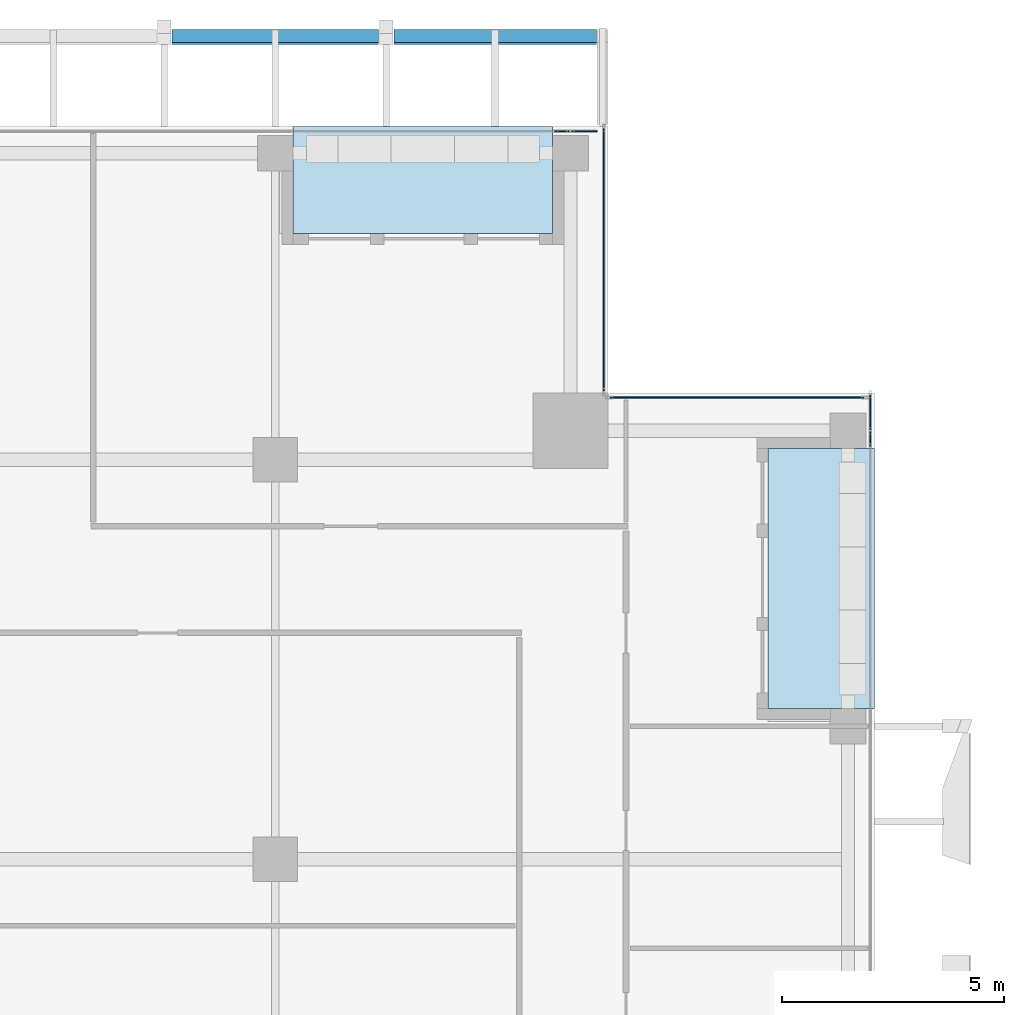
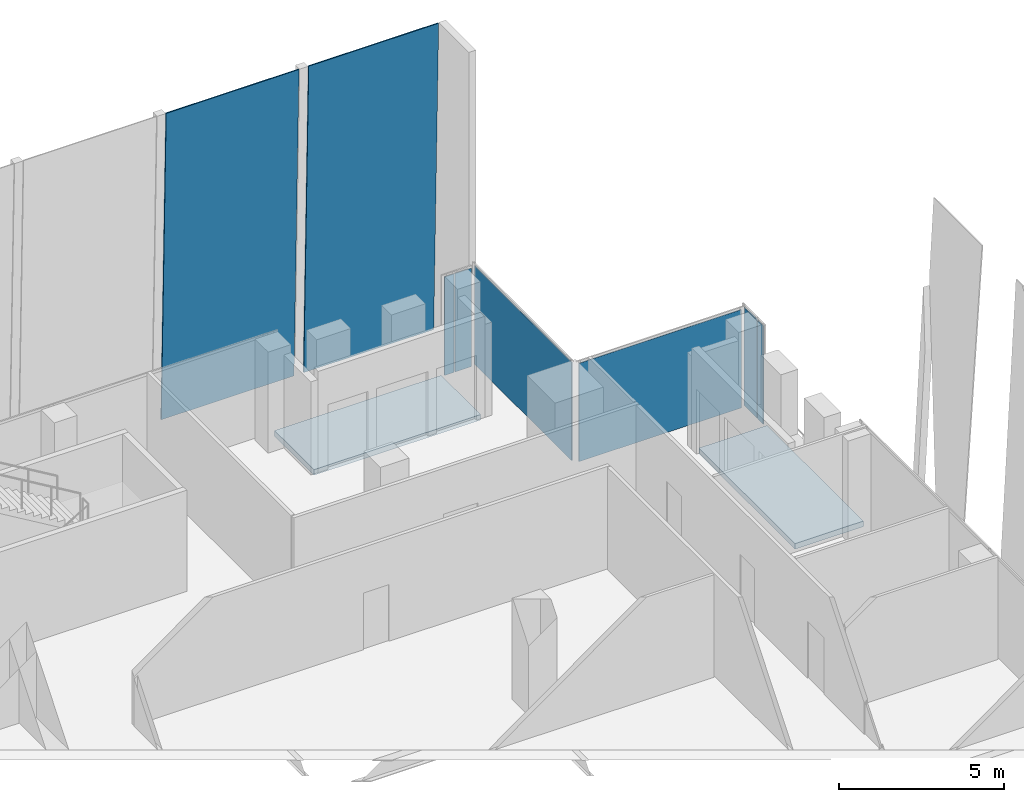
# One storey, part 25 of 33: 8 plates, 2 slabs, 4 elements without a shape of their own.
"""IFC4 building model written with IfcOpenShell, lengths in metres."""

from ifc_helpers import new_model, si_unit, direction, frame, origin, origin_2d, place, context, subcontext, project, spatial, polyline, rectangle, outline, extrude, source, transform, mapped, material, layer, layer_set, type_object, element, aggregate, save


model = new_model("IFC4")

# Units and contexts
model_context = context("Model", 3, precision=1e-05, world=origin(), true_north=direction((0.0, 1.0)))
body_context = subcontext(model_context, "Body", "Model", "MODEL_VIEW")
ifc_project = project(units=[si_unit("LENGTHUNIT", "METRE"), si_unit("AREAUNIT", "SQUARE_METRE"), si_unit("VOLUMEUNIT", "CUBIC_METRE"), si_unit("PLANEANGLEUNIT", "RADIAN"), si_unit("MASSUNIT", "GRAM", prefix="KILO")], contexts=[model_context])

# Site, building, storey
site_placement = place(None, origin())
site = spatial("IfcSite", under=ifc_project, at=site_placement, CompositionType="ELEMENT")
building_placement = place(site_placement, origin())
building = spatial("IfcBuilding", under=site, at=building_placement, Name="Khomas Fold Tower", CompositionType="ELEMENT")
storey_placement = place(building_placement, frame((0.0, 0.0, 294.199951171875)))
storey = spatial("IfcBuildingStorey", under=building, at=storey_placement, Name="L66", CompositionType="ELEMENT", Elevation=294.199951171875)

# Plates
ifc_material_1 = material(Name="Clear laminated glass", Category="glass")
ifc_layer_1 = layer(ifc_material_1, 0.0400390625)
ifc_layer_set_1 = layer_set([ifc_layer_1], Name="Clear laminated glass")
plate_type_1 = type_object("IfcPlateType", Name="SK-Clear laminated glass leaf", PredefinedType="SHEET", material=ifc_layer_set_1)
plate_1_placement = place(storey_placement, frame((32.169921875, 50.19384765625, 0.0009765625), z_axis=(0.0, 0.999657783631, 0.026159427089), x_axis=(1.0, 0.0, 0.0)))
element("IfcPlate", 1, at=plate_1_placement, inside=storey, type_object=plate_type_1, Name="OUTER SKIN glass L66 N9", PredefinedType="SHEET", context=body_context, shape_type="SweptSolid", body=[
    extrude(outline(polyline([(0.0, 0.0), (4.66015625, 0.0), (4.66015625, -11.554002797007573), (0.0, -11.554002797007573), (0.0, 0.0)])), origin(), (0.0, 0.0, -1.0), 0.0400390625),
])
plate_2_placement = place(storey_placement, frame((37.169921875, 50.19384765625, 0.0009765625), z_axis=(0.0, 0.999657783631, 0.026159427089), x_axis=(1.0, 0.0, 0.0)))
element("IfcPlate", 2, at=plate_2_placement, inside=storey, type_object=plate_type_1, Name="OUTER SKIN glass L66 N11", PredefinedType="SHEET", context=body_context, shape_type="SweptSolid", body=[
    extrude(outline(polyline([(0.0, 0.0), (4.56005859375, 0.0), (4.56005859375, -11.554002797007572), (0.0, -11.554002797007572), (0.0, 0.0)])), origin(), (0.0, 0.0, -1.0), 0.0400390625),
])

# Curtain wall, plate
ifc_material_2 = material(Name="Aluminium framed double glazing", Category="aluminium")
curtain_wall_type = type_object("IfcCurtainWallType", Name="SK-Unitised clear-glass wall, upper floors CW3", PredefinedType="NOTDEFINED", material=ifc_material_2)
curtain_wall_1_placement = place(storey_placement, origin())
curtain_wall_1 = element("IfcCurtainWall", 3, at=curtain_wall_1_placement, inside=storey, type_object=curtain_wall_type, Name="CW3 run L66 06-0", PredefinedType="NOTDEFINED")
ifc_material_3 = material(Name="Clear double glazed unit")
ifc_layer_2 = layer(ifc_material_3, 0.028076171875)
ifc_layer_set_2 = layer_set([ifc_layer_2], Name="Clear double glazed unit")
plate_type_2 = type_object("IfcPlateType", Name="SK-Unitised clear-glass wall, upper floors glass panel CW3-P", PredefinedType="CURTAIN_PANEL", material=ifc_layer_set_2)
shared_shape_1 = source(origin(), body_context, "Body", "SweptSolid", [
    extrude(rectangle(XDim=0.574951171875, YDim=0.028076171875, at=origin_2d()), origin(), (0.0, 0.0, 1.0), 3.64990234375),
])
plate_3_placement = place(storey_placement, frame((41.46240234375, 47.89990234375, 0.0), z_axis=(0.0, 0.0, 1.0), x_axis=(-1.0, 0.0, 0.0)))
plate_3 = element("IfcPlate", 4, at=plate_3_placement, type_object=plate_type_2, Name="CW3 glass panel 1", PredefinedType="CURTAIN_PANEL", context=body_context, shape_type="MappedRepresentation", body=[
    mapped(shared_shape_1, transform((0.0, 0.0, 0.0))),
])

curtain_wall_2_placement = place(storey_placement, origin())
curtain_wall_2 = element("IfcCurtainWall", 5, at=curtain_wall_2_placement, inside=storey, type_object=curtain_wall_type, Name="CW3 run L66 03-1", PredefinedType="NOTDEFINED")
shared_shape_2 = source(origin(), body_context, "Body", "SweptSolid", [
    extrude(rectangle(XDim=0.77490234375, YDim=0.028076171875, at=origin_2d()), origin(), (0.0, 0.0, 1.0), 3.64990234375),
])
plate_4_placement = place(storey_placement, frame((47.89990234375, 41.5625, 0.0), z_axis=(0.0, 0.0, 1.0), x_axis=(0.0, 1.0, 0.0)))
plate_4 = element("IfcPlate", 6, at=plate_4_placement, type_object=plate_type_2, Name="CW3 glass panel 2", PredefinedType="CURTAIN_PANEL", context=body_context, shape_type="MappedRepresentation", body=[
    mapped(shared_shape_2, transform((0.0, 0.0, 0.0))),
])

curtain_wall_3_placement = place(storey_placement, origin())
curtain_wall_3 = element("IfcCurtainWall", 7, at=curtain_wall_3_placement, inside=storey, type_object=curtain_wall_type, Name="CW3 corner return L66 04", PredefinedType="NOTDEFINED")
shared_shape_3 = source(origin(), body_context, "Body", "SweptSolid", [
    extrude(rectangle(XDim=5.699951171875, YDim=0.028076171875, at=origin_2d()), origin(), (0.0, 0.0, 1.0), 3.64990234375),
])
plate_5_placement = place(storey_placement, frame((44.89990234375, 41.89990234375, 0.0), z_axis=(0.0, 0.0, 1.0), x_axis=(-1.0, 0.0, 0.0)))
plate_5 = element("IfcPlate", 8, at=plate_5_placement, type_object=plate_type_2, Name="CW3 glass panel 1", PredefinedType="CURTAIN_PANEL", context=body_context, shape_type="MappedRepresentation", body=[
    mapped(shared_shape_3, transform((0.0, 0.0, 0.0))),
])
aggregate(curtain_wall_3, [plate_5])

curtain_wall_4_placement = place(storey_placement, origin())
curtain_wall_4 = element("IfcCurtainWall", 9, at=curtain_wall_4_placement, inside=storey, type_object=curtain_wall_type, Name="CW3 corner return L66 05", PredefinedType="NOTDEFINED")
shared_shape_4 = source(origin(), body_context, "Body", "SweptSolid", [
    extrude(rectangle(XDim=5.89990234375, YDim=0.028076171875, at=origin_2d()), origin(), (0.0, 0.0, 1.0), 3.64990234375),
])
plate_6_placement = place(storey_placement, frame((41.89990234375, 45.0, 0.0), z_axis=(0.0, 0.0, 1.0), x_axis=(0.0, 1.0, 0.0)))
plate_6 = element("IfcPlate", 10, at=plate_6_placement, type_object=plate_type_2, Name="CW3 glass panel 1", PredefinedType="CURTAIN_PANEL", context=body_context, shape_type="MappedRepresentation", body=[
    mapped(shared_shape_4, transform((0.0, 0.0, 0.0))),
])
aggregate(curtain_wall_4, [plate_6])

# Plate
shared_shape_5 = source(origin(), body_context, "Body", "SweptSolid", [
    extrude(rectangle(XDim=0.324951171875, YDim=0.028076171875, at=origin_2d()), origin(), (0.0, 0.0, 1.0), 3.64990234375),
])
plate_7_placement = place(storey_placement, frame((47.89990234375, 40.96240234375, 0.0), z_axis=(0.0, 0.0, 1.0), x_axis=(0.0, 1.0, 0.0)))
plate_7 = element("IfcPlate", 11, at=plate_7_placement, type_object=plate_type_2, Name="CW3 glass panel 1", PredefinedType="CURTAIN_PANEL", context=body_context, shape_type="MappedRepresentation", body=[
    mapped(shared_shape_5, transform((0.0, 0.0, 0.0))),
])

aggregate(curtain_wall_2, [plate_7, plate_4])

plate_8_placement = place(storey_placement, frame((40.96240234375, 47.89990234375, 0.0), z_axis=(0.0, 0.0, 1.0), x_axis=(-1.0, 0.0, 0.0)))
plate_8 = element("IfcPlate", 12, at=plate_8_placement, type_object=plate_type_2, Name="CW3 glass panel 2", PredefinedType="CURTAIN_PANEL", context=body_context, shape_type="MappedRepresentation", body=[
    mapped(shared_shape_5, transform((0.0, 0.0, 0.0))),
])

aggregate(curtain_wall_1, [plate_3, plate_8])

# Slabs
ifc_material_4 = material(Name="Concrete C40/50", Category="concrete")
ifc_layer_3 = layer(ifc_material_4, 0.205078125)
ifc_layer_set_3 = layer_set([ifc_layer_3], Name="Concrete C40/50")
slab_type = type_object("IfcSlabType", Name="BL-Balcony deck 205", PredefinedType="FLOOR", material=ifc_layer_set_3)
shared_shape_6 = source(origin(), body_context, "Body", "SweptSolid", [
    extrude(outline(polyline([(34.89990234375, 45.60009765625), (40.75, 45.60009765625), (40.75, 48.0), (34.89990234375, 48.0), (34.89990234375, 45.60009765625)])), origin(), (0.0, 0.0, 1.0), 0.205078125),
])
slab_1_placement = place(storey_placement, frame((0.0, 0.0, -0.25)))
element("IfcSlab", 13, at=slab_1_placement, inside=storey, type_object=slab_type, Name="Balcony deck BAL-L66-N4", PredefinedType="FLOOR", context=body_context, shape_type="MappedRepresentation", body=[
    mapped(shared_shape_6, transform((0.0, 0.0, 0.0))),
])
shared_shape_7 = source(origin(), body_context, "Body", "SweptSolid", [
    extrude(outline(polyline([(45.60009765625, 34.89990234375), (48.0, 34.89990234375), (48.0, 40.75), (45.60009765625, 40.75), (45.60009765625, 34.89990234375)])), origin(), (0.0, 0.0, 1.0), 0.205078125),
])
slab_2_placement = place(storey_placement, frame((0.0, 0.0, -0.25)))
element("IfcSlab", 14, at=slab_2_placement, inside=storey, type_object=slab_type, Name="Balcony deck BAL-L66-E4", PredefinedType="FLOOR", context=body_context, shape_type="MappedRepresentation", body=[
    mapped(shared_shape_7, transform((0.0, 0.0, 0.0))),
])

save(model, "model.ifc")
